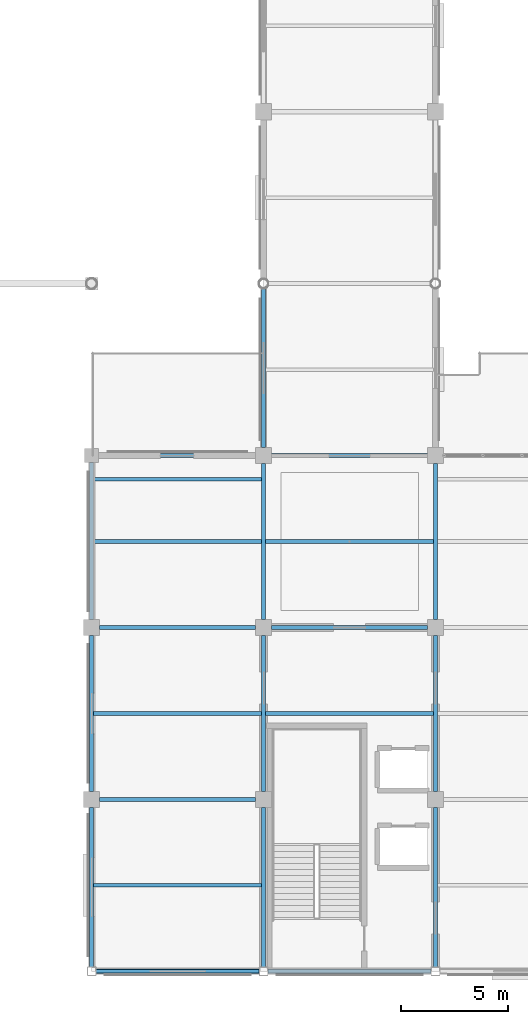
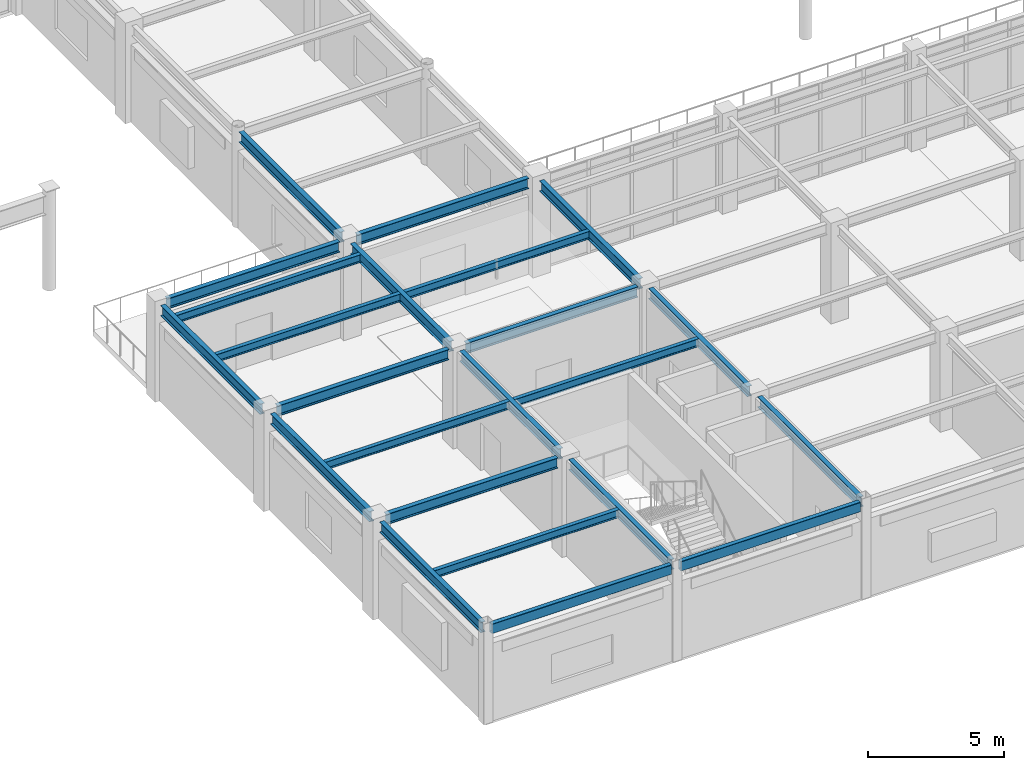
# One storey, part 15 of 78: 23 beams.
"""IFC4 building model written with IfcOpenShell, lengths in metres."""

from ifc_helpers import new_model, si_unit, direction, frame, origin, origin_2d, place, context, subcontext, project, spatial, hollow_rectangle, i_section, extrude, material, material_profile, profile_set, type_object, element, save


model = new_model("IFC4")

# Units and contexts
model_context = context("Model", 3, precision=1e-05, world=origin(), true_north=direction((0.0, 1.0)))
body_context = subcontext(model_context, "Body", "Model", "MODEL_VIEW")
ifc_project = project(units=[si_unit("LENGTHUNIT", "METRE"), si_unit("AREAUNIT", "SQUARE_METRE"), si_unit("VOLUMEUNIT", "CUBIC_METRE"), si_unit("PLANEANGLEUNIT", "RADIAN"), si_unit("MASSUNIT", "GRAM", prefix="KILO")], contexts=[model_context])

# Site, building, storey
site_placement = place(None, origin())
site = spatial("IfcSite", under=ifc_project, at=site_placement, CompositionType="ELEMENT")
building_placement = place(site_placement, origin())
building = spatial("IfcBuilding", under=site, at=building_placement, Name="Solmirada Galleria", CompositionType="ELEMENT")
storey_placement = place(building_placement, frame((0.0, 0.0, 23.89990234375)))
storey = spatial("IfcBuildingStorey", under=building, at=storey_placement, Name="L05", CompositionType="ELEMENT", Elevation=23.89990234375)

# Beams
ifc_material_1 = material(Name="Steel S355 / ASTM A992 Grade 50", Category="steel")
ifc_material_profile_1 = material_profile(ifc_material_1, i_section(OverallWidth=0.194091796875, OverallDepth=0.468994140625, WebThickness=0.0126953125, FlangeThickness=0.0205078125, FilletRadius=0.013916015625, at=origin_2d()), Name="W18X71")
ifc_profile_set_1 = profile_set([ifc_material_profile_1], Name="Steel S355 / ASTM A992 Grade 50")
beam_type_1 = type_object("IfcBeamType", Name="BM-GIRD-W18B", PredefinedType="BEAM", material=ifc_profile_set_1)
for number, where, z_axis, x_axis, name in (
    (1, (80.375, 16.0, 4.065673828125), (1.0, 0.0, 0.0), (0.0, 1.0, 0.0), "Primary beam L06 X(80..88, 16)"),
    (2, (88.375, 16.0, 4.065673828125), (1.0, 0.0, 0.0), (0.0, 1.0, 0.0), "Primary beam L06 X(88..96, 16)"),
):
    element("IfcBeam", number, at=place(storey_placement, frame(where, z_axis=z_axis, x_axis=x_axis)), inside=storey, type_object=beam_type_1, Name=name, PredefinedType="BEAM", context=body_context, shape_type="SweptSolid", body=[
        extrude(i_section(OverallWidth=0.194091796875, OverallDepth=0.468994140625, WebThickness=0.0126953125, FlangeThickness=0.0205078125, FilletRadius=0.013916015625, at=origin_2d()), origin(), (0.0, 0.0, 1.0), 7.25),
    ])
ifc_material_profile_2 = material_profile(ifc_material_1, i_section(OverallWidth=0.193115234375, OverallDepth=0.466064453125, WebThickness=0.011474609375, FlangeThickness=0.01904296875, FilletRadius=0.013916015625, at=origin_2d()), Name="W18X65")
ifc_profile_set_2 = profile_set([ifc_material_profile_2], Name="Steel S355 / ASTM A992 Grade 50")
beam_type_2 = type_object("IfcBeamType", Name="BM-GIRD-W18C", PredefinedType="BEAM", material=ifc_profile_set_2)
beam_1_placement = place(storey_placement, frame((80.375, 8.0, 4.067138671875), z_axis=(1.0, 0.0, 0.0), x_axis=(0.0, 1.0, 0.0)))
element("IfcBeam", 3, at=beam_1_placement, inside=storey, type_object=beam_type_2, Name="Primary beam L06 X(80..88, 8)", PredefinedType="BEAM", context=body_context, shape_type="SweptSolid", body=[
    extrude(i_section(OverallWidth=0.193115234375, OverallDepth=0.466064453125, WebThickness=0.011474609375, FlangeThickness=0.01904296875, FilletRadius=0.013916015625, at=origin_2d()), origin(), (0.0, 0.0, 1.0), 7.25),
])
beam_2_placement = place(storey_placement, frame((80.324951171875, 24.0, 4.027099609375), z_axis=(1.0, 0.0, 0.0), x_axis=(0.0, 1.0, 0.0)))
element("IfcBeam", 4, at=beam_2_placement, inside=storey, type_object=beam_type_2, Name="Primary beam L06 X(80..88, 24)", PredefinedType="BEAM", context=body_context, shape_type="SweptSolid", body=[
    extrude(i_section(OverallWidth=0.193115234375, OverallDepth=0.466064453125, WebThickness=0.011474609375, FlangeThickness=0.01904296875, FilletRadius=0.013916015625, at=origin_2d()), origin(), (0.0, 0.0, 1.0), 7.300048828125),
])
beam_3_placement = place(storey_placement, frame((88.375, 24.0, 4.067138671875), z_axis=(1.0, 0.0, 0.0), x_axis=(0.0, 1.0, 0.0)))
element("IfcBeam", 5, at=beam_3_placement, inside=storey, type_object=beam_type_2, Name="Primary beam L06 X(88..96, 24)", PredefinedType="BEAM", context=body_context, shape_type="SweptSolid", body=[
    extrude(i_section(OverallWidth=0.193115234375, OverallDepth=0.466064453125, WebThickness=0.011474609375, FlangeThickness=0.01904296875, FilletRadius=0.013916015625, at=origin_2d()), origin(), (0.0, 0.0, 1.0), 7.25),
])
beam_4_placement = place(storey_placement, frame((80.0, 0.202880859375, 4.067138671875), z_axis=(0.0, 1.0, 0.0), x_axis=(-1.0, 0.0, 0.0)))
element("IfcBeam", 6, at=beam_4_placement, inside=storey, type_object=beam_type_2, Name="Primary girder L06 Y(80, 0..8)", PredefinedType="BEAM", context=body_context, shape_type="SweptSolid", body=[
    extrude(i_section(OverallWidth=0.193115234375, OverallDepth=0.466064453125, WebThickness=0.011474609375, FlangeThickness=0.01904296875, FilletRadius=0.013916015625, at=origin_2d()), origin(), (0.0, 0.0, 1.0), 7.422119140625),
])
beam_5_placement = place(storey_placement, frame((80.0, 8.375, 4.067138671875), z_axis=(0.0, 1.0, 0.0), x_axis=(-1.0, 0.0, 0.0)))
element("IfcBeam", 7, at=beam_5_placement, inside=storey, type_object=beam_type_2, Name="Primary girder L06 Y(80, 8..16)", PredefinedType="BEAM", context=body_context, shape_type="SweptSolid", body=[
    extrude(i_section(OverallWidth=0.193115234375, OverallDepth=0.466064453125, WebThickness=0.011474609375, FlangeThickness=0.01904296875, FilletRadius=0.013916015625, at=origin_2d()), origin(), (0.0, 0.0, 1.0), 7.25),
])
beam_6_placement = place(storey_placement, frame((80.0, 16.375, 4.027099609375), z_axis=(0.0, 1.0, 0.0), x_axis=(-1.0, 0.0, 0.0)))
element("IfcBeam", 8, at=beam_6_placement, inside=storey, type_object=beam_type_2, Name="Primary girder L06 Y(80, 16..24)", PredefinedType="BEAM", context=body_context, shape_type="SweptSolid", body=[
    extrude(i_section(OverallWidth=0.193115234375, OverallDepth=0.466064453125, WebThickness=0.011474609375, FlangeThickness=0.01904296875, FilletRadius=0.013916015625, at=origin_2d()), origin(), (0.0, 0.0, 1.0), 7.300048828125),
])
beam_7_placement = place(storey_placement, frame((88.0, 0.202880859375, 4.067138671875), z_axis=(0.0, 1.0, 0.0), x_axis=(-1.0, 0.0, 0.0)))
element("IfcBeam", 9, at=beam_7_placement, inside=storey, type_object=beam_type_2, Name="Primary girder L06 Y(88, 0..8)", PredefinedType="BEAM", context=body_context, shape_type="SweptSolid", body=[
    extrude(i_section(OverallWidth=0.193115234375, OverallDepth=0.466064453125, WebThickness=0.011474609375, FlangeThickness=0.01904296875, FilletRadius=0.013916015625, at=origin_2d()), origin(), (0.0, 0.0, 1.0), 7.422119140625),
])
for number, where, z_axis, x_axis, name in (
    (10, (88.0, 8.375, 4.067138671875), (0.0, 1.0, 0.0), (-1.0, 0.0, 0.0), "Primary girder L06 Y(88, 8..16)"),
    (11, (88.0, 16.375, 4.027099609375), (0.0, 1.0, 0.0), (-1.0, 0.0, 0.0), "Primary girder L06 Y(88, 16..24)"),
):
    element("IfcBeam", number, at=place(storey_placement, frame(where, z_axis=z_axis, x_axis=x_axis)), inside=storey, type_object=beam_type_2, Name=name, PredefinedType="BEAM", context=body_context, shape_type="SweptSolid", body=[
        extrude(i_section(OverallWidth=0.193115234375, OverallDepth=0.466064453125, WebThickness=0.011474609375, FlangeThickness=0.01904296875, FilletRadius=0.013916015625, at=origin_2d()), origin(), (0.0, 0.0, 1.0), 7.25),
    ])
beam_8_placement = place(storey_placement, frame((88.0, 24.375, 4.067138671875), z_axis=(0.0, 1.0, 0.0), x_axis=(-1.0, 0.0, 0.0)))
element("IfcBeam", 12, at=beam_8_placement, inside=storey, type_object=beam_type_2, Name="Primary girder L06 Y(88, 24..32)", PredefinedType="BEAM", context=body_context, shape_type="SweptSolid", body=[
    extrude(i_section(OverallWidth=0.193115234375, OverallDepth=0.466064453125, WebThickness=0.011474609375, FlangeThickness=0.01904296875, FilletRadius=0.013916015625, at=origin_2d()), origin(), (0.0, 0.0, 1.0), 7.43310546875),
])
beam_9_placement = place(storey_placement, frame((96.0, 0.202880859375, 4.067138671875), z_axis=(0.0, 1.0, 0.0), x_axis=(-1.0, 0.0, 0.0)))
element("IfcBeam", 13, at=beam_9_placement, inside=storey, type_object=beam_type_2, Name="Primary girder L06 Y(96, 0..8)", PredefinedType="BEAM", context=body_context, shape_type="SweptSolid", body=[
    extrude(i_section(OverallWidth=0.193115234375, OverallDepth=0.466064453125, WebThickness=0.011474609375, FlangeThickness=0.01904296875, FilletRadius=0.013916015625, at=origin_2d()), origin(), (0.0, 0.0, 1.0), 7.422119140625),
])
for number, where, z_axis, x_axis, name in (
    (14, (96.0, 8.375, 4.067138671875), (0.0, 1.0, 0.0), (-1.0, 0.0, 0.0), "Primary girder L06 Y(96, 8..16)"),
    (15, (96.0, 16.375, 4.027099609375), (0.0, 1.0, 0.0), (-1.0, 0.0, 0.0), "Primary girder L06 Y(96, 16..24)"),
):
    element("IfcBeam", number, at=place(storey_placement, frame(where, z_axis=z_axis, x_axis=x_axis)), inside=storey, type_object=beam_type_2, Name=name, PredefinedType="BEAM", context=body_context, shape_type="SweptSolid", body=[
        extrude(i_section(OverallWidth=0.193115234375, OverallDepth=0.466064453125, WebThickness=0.011474609375, FlangeThickness=0.01904296875, FilletRadius=0.013916015625, at=origin_2d()), origin(), (0.0, 0.0, 1.0), 7.25),
    ])
ifc_material_profile_3 = material_profile(ifc_material_1, i_section(OverallWidth=0.1708984375, OverallDepth=0.35205078125, WebThickness=0.0068359375, FlangeThickness=0.009765625, FilletRadius=0.010986328125, at=origin_2d()), Name="W14X30")
ifc_profile_set_3 = profile_set([ifc_material_profile_3], Name="Steel S355 / ASTM A992 Grade 50")
beam_type_3 = type_object("IfcBeamType", Name="BM-JST-W14B", PredefinedType="JOIST", material=ifc_profile_set_3)
for number, where, z_axis, x_axis, name in (
    (16, (80.096435546875, 4.0, 4.1240234375), (1.0, 0.0, 0.0), (0.0, 1.0, 0.0), "Composite floor joist L06 (80..88, 4.0)"),
    (17, (80.096435546875, 12.0, 4.1240234375), (1.0, 0.0, 0.0), (0.0, 1.0, 0.0), "Composite floor joist L06 (80..88, 12.0)"),
    (18, (80.096435546875, 20.0, 4.083984375), (1.0, 0.0, 0.0), (0.0, 1.0, 0.0), "Composite floor joist L06 (80..88, 20.0)"),
    (19, (80.096435546875, 22.89990234375, 4.083984375), (1.0, 0.0, 0.0), (0.0, 1.0, 0.0), "Terrace deck joist L06-TERR-SW X=80..88 (2)"),
    (20, (88.096435546875, 12.0, 4.1240234375), (1.0, 0.0, 0.0), (0.0, 1.0, 0.0), "Composite floor joist L06 (88..96, 12.0)"),
    (21, (88.096435546875, 20.0, 4.083984375), (1.0, 0.0, 0.0), (0.0, 1.0, 0.0), "Composite floor joist L06 (88..96, 20.0)"),
):
    element("IfcBeam", number, at=place(storey_placement, frame(where, z_axis=z_axis, x_axis=x_axis)), inside=storey, type_object=beam_type_3, Name=name, PredefinedType="JOIST", context=body_context, shape_type="SweptSolid", body=[
        extrude(i_section(OverallWidth=0.1708984375, OverallDepth=0.35205078125, WebThickness=0.0068359375, FlangeThickness=0.009765625, FilletRadius=0.010986328125, at=origin_2d()), origin(), (0.0, 0.0, 1.0), 7.80712890625),
    ])
ifc_material_2 = material(Name="Steel S355 / ASTM A500 Grade C", Category="steel")
ifc_material_profile_4 = material_profile(ifc_material_2, hollow_rectangle(XDim=0.202880859375, YDim=0.431884765625, WallThickness=0.01171875, InnerFilletRadius=0.01171875, OuterFilletRadius=0.023681640625, at=origin_2d()), Name="HSS17X8X1/2")
ifc_profile_set_4 = profile_set([ifc_material_profile_4], Name="Steel S355 / ASTM A500 Grade C")
beam_type_4 = type_object("IfcBeamType", Name="BM-SPAND-W16B", PredefinedType="SPANDREL", material=ifc_profile_set_4)
for number, where, z_axis, x_axis, name in (
    (22, (80.202880859375, 0.0, 4.083984375), (1.0, 0.0, 0.0), (0.0, 1.0, 0.0), "Primary beam L06 X(80..88, 0)"),
    (23, (88.202880859375, 0.0, 4.083984375), (1.0, 0.0, 0.0), (0.0, 1.0, 0.0), "Primary beam L06 X(88..96, 0)"),
):
    element("IfcBeam", number, at=place(storey_placement, frame(where, z_axis=z_axis, x_axis=x_axis)), inside=storey, type_object=beam_type_4, Name=name, PredefinedType="SPANDREL", context=body_context, shape_type="SweptSolid", body=[
        extrude(hollow_rectangle(XDim=0.202880859375, YDim=0.431884765625, WallThickness=0.01171875, InnerFilletRadius=0.01171875, OuterFilletRadius=0.023681640625, at=origin_2d()), origin(), (0.0, 0.0, 1.0), 7.59423828125),
    ])

save(model, "model.ifc")
